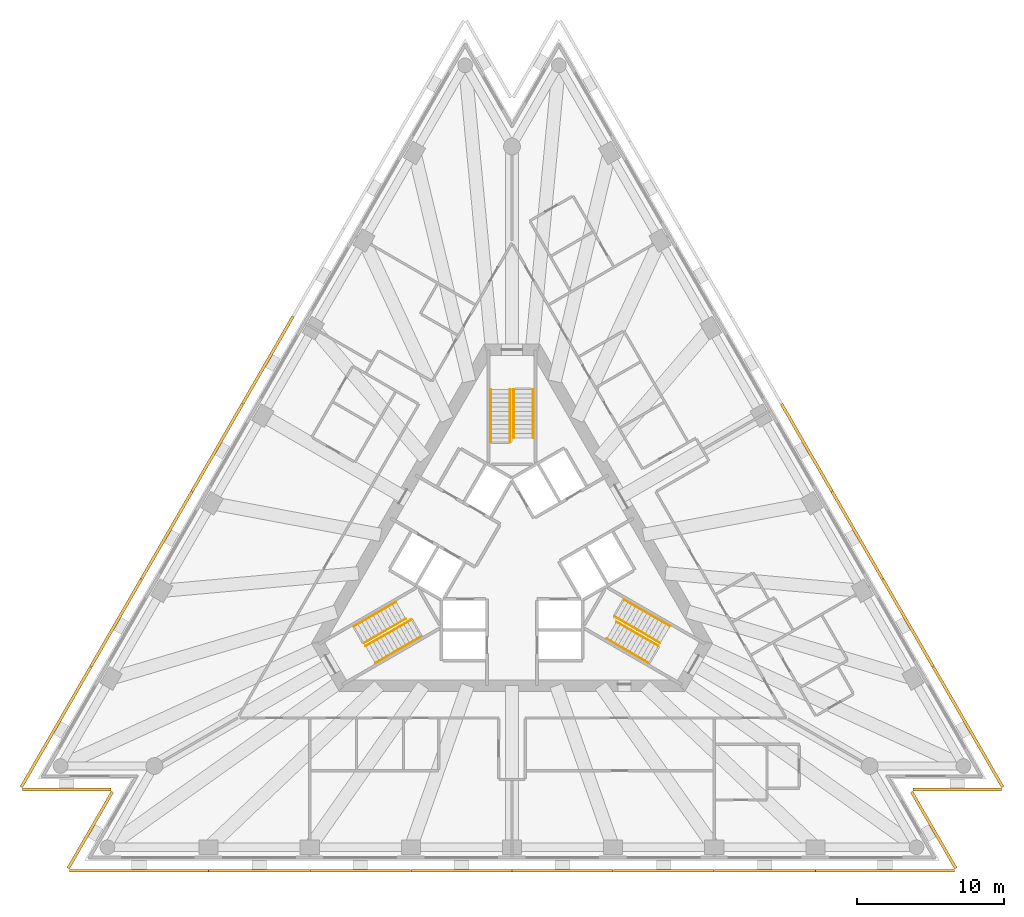
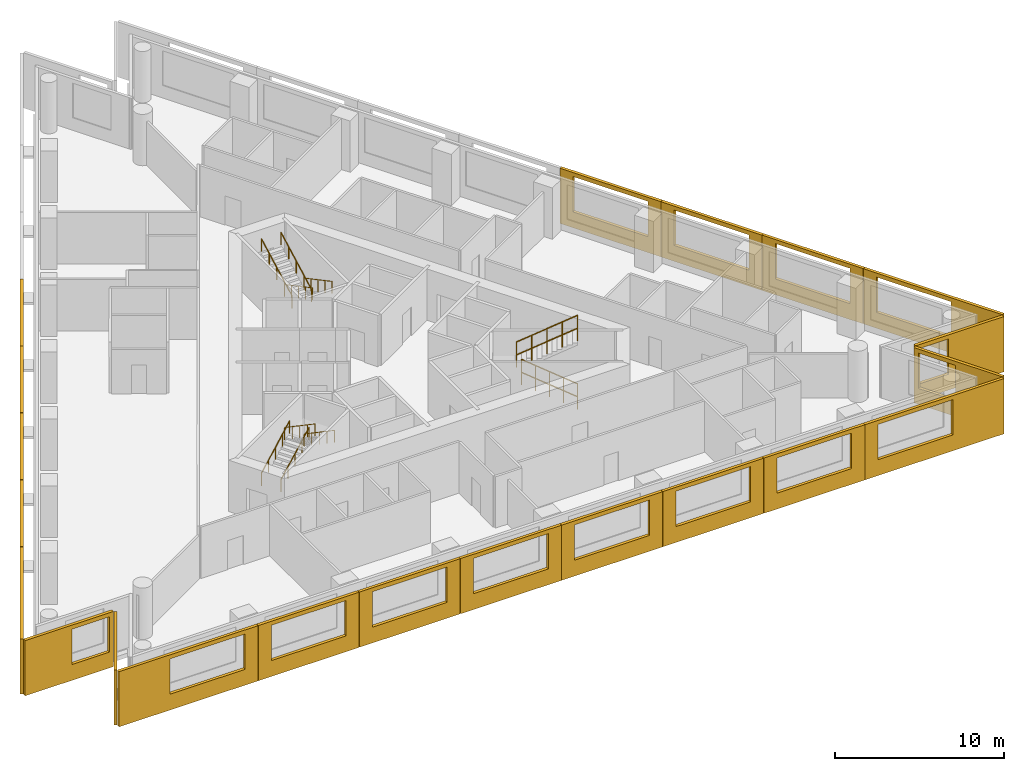
# One storey, part 9 of 10: 21 shading devices, 12 railings, 3 elements without a shape of their own.
"""IFC4 building model written with IfcOpenShell, lengths in metres."""

from ifc_helpers import new_model, si_unit, direction, frame, origin, origin_2d, place, context, subcontext, project, spatial, polyline, circle, outline, extrude, material, layer, layer_set, type_object, element, aggregate, save


model = new_model("IFC4")

# Units and contexts
model_context = context("Model", 3, precision=1e-05, world=origin(), true_north=direction((0.0, 1.0)))
body_context = subcontext(model_context, "Body", "Model", "MODEL_VIEW")
ifc_project = project(units=[si_unit("LENGTHUNIT", "METRE"), si_unit("AREAUNIT", "SQUARE_METRE"), si_unit("VOLUMEUNIT", "CUBIC_METRE"), si_unit("PLANEANGLEUNIT", "RADIAN"), si_unit("MASSUNIT", "GRAM", prefix="KILO")], contexts=[model_context])

# Site, building, storey
site_placement = place(None, origin())
site = spatial("IfcSite", under=ifc_project, at=site_placement, CompositionType="ELEMENT")
building_placement = place(site_placement, origin())
building = spatial("IfcBuilding", under=site, at=building_placement, Name="Triada Interchange Tower", CompositionType="ELEMENT")
storey_placement = place(building_placement, frame((0.0, 0.0, 120.300048828125)))
storey = spatial("IfcBuildingStorey", under=building, at=storey_placement, Name="L27", CompositionType="ELEMENT", Elevation=120.300048828125)

# Shading devices
ifc_material_1 = material(Name="Concrete C50/60 precast", Category="concrete")
ifc_layer_1 = layer(ifc_material_1, 0.02001953125, Name="Exposed aggregate face")
ifc_layer_2 = layer(ifc_material_1, 0.179931640625, Name="Precast concrete screen")
ifc_layer_set = layer_set([ifc_layer_1, ifc_layer_2], Name="Outer skin screen panel 3980")
shading_device_type = type_object("IfcShadingDeviceType", Name="Outer skin screen panel 3980", PredefinedType="SHUTTER", material=ifc_layer_set)
shading_device_1_placement = place(storey_placement, frame((-14.85009765625, 16.527099609375, -0.2900390625), z_axis=(0.0, 0.0, 1.0), x_axis=(-0.500025633803, -0.866010603596, 0.0)))
element("IfcShadingDevice", 1, at=shading_device_1_placement, inside=storey, type_object=shading_device_type, Name="Outer skin screen panel L27 04", PredefinedType="SHUTTER", context=body_context, shape_type="SweptSolid", body=[
    extrude(outline(polyline([(0.0, 0.0), (6.877685546875, 0.0), (6.877685546875, 3.97998046875), (0.0, 3.97998046875), (0.0, 0.0)]), holes=[polyline([(0.888916015625, 1.139892578125), (0.888916015625, 3.68994140625), (5.989013671875, 3.68994140625), (5.989013671875, 1.139892578125), (0.888916015625, 1.139892578125)])]), frame((0.0, 0.0, 0.0), z_axis=(0.0, -1.0, 0.0), x_axis=(1.0, 0.0, 0.0)), (0.0, 0.0, 1.0), 0.199951171875),
])
shading_device_2_placement = place(storey_placement, frame((-18.299072265625, 10.552978515625, -0.2900390625), z_axis=(0.0, 0.0, 1.0), x_axis=(-0.499919131929, -0.866072087953, 0.0)))
element("IfcShadingDevice", 2, at=shading_device_2_placement, inside=storey, type_object=shading_device_type, Name="Outer skin screen panel L27 05", PredefinedType="SHUTTER", context=body_context, shape_type="SweptSolid", body=[
    extrude(outline(polyline([(0.0, 0.0), (6.877197265625, 0.0), (6.877197265625, 3.97998046875), (0.0, 3.97998046875), (0.0, 0.0)]), holes=[polyline([(0.88916015625, 1.139892578125), (0.88916015625, 3.68994140625), (5.989013671875, 3.68994140625), (5.989013671875, 1.139892578125), (0.88916015625, 1.139892578125)])]), frame((0.0, 0.0, 0.0), z_axis=(0.0, -1.0, 0.0), x_axis=(1.0, 0.0, 0.0)), (0.0, 0.0, 1.0), 0.199951171875),
])
shading_device_3_placement = place(storey_placement, frame((-21.7470703125, 4.580078125, -0.2900390625), z_axis=(0.0, 0.0, 1.0), x_axis=(-0.499964153563, -0.866046098746, 0.0)))
element("IfcShadingDevice", 3, at=shading_device_3_placement, inside=storey, type_object=shading_device_type, Name="Outer skin screen panel L27 06", PredefinedType="SHUTTER", context=body_context, shape_type="SweptSolid", body=[
    extrude(outline(polyline([(0.0, 0.0), (6.87841796875, 0.0), (6.87841796875, 3.97998046875), (0.0, 3.97998046875), (0.0, 0.0)]), holes=[polyline([(0.88916015625, 1.139892578125), (0.88916015625, 3.68994140625), (5.9892578125, 3.68994140625), (5.9892578125, 1.139892578125), (0.88916015625, 1.139892578125)])]), frame((0.0, 0.0, 0.0), z_axis=(0.0, -1.0, 0.0), x_axis=(1.0, 0.0, 0.0)), (0.0, 0.0, 1.0), 0.199951171875),
])
shading_device_4_placement = place(storey_placement, frame((-25.196044921875, -1.39404296875, -0.2900390625), z_axis=(0.0, 0.0, 1.0), x_axis=(-0.499964153563, -0.866046098746, 0.0)))
element("IfcShadingDevice", 4, at=shading_device_4_placement, inside=storey, type_object=shading_device_type, Name="Outer skin screen panel L27 07", PredefinedType="SHUTTER", context=body_context, shape_type="SweptSolid", body=[
    extrude(outline(polyline([(0.0, 0.0), (6.87841796875, 0.0), (6.87841796875, 3.97998046875), (0.0, 3.97998046875), (0.0, 0.0)]), holes=[polyline([(0.889404296875, 1.139892578125), (0.889404296875, 3.68994140625), (5.989501953125, 3.68994140625), (5.989501953125, 1.139892578125), (0.889404296875, 1.139892578125)])]), frame((0.0, 0.0, 0.0), z_axis=(0.0, -1.0, 0.0), x_axis=(1.0, 0.0, 0.0)), (0.0, 0.0, 1.0), 0.199951171875),
])
shading_device_5_placement = place(storey_placement, frame((-28.64501953125, -7.367919921875, -0.2900390625), z_axis=(0.0, 0.0, 1.0), x_axis=(-0.500021309151, -0.866013100591, 0.0)))
element("IfcShadingDevice", 5, at=shading_device_5_placement, inside=storey, type_object=shading_device_type, Name="Outer skin screen panel L27 08", PredefinedType="SHUTTER", context=body_context, shape_type="SweptSolid", body=[
    extrude(outline(polyline([(0.0, 0.0), (9.4755859375, 0.0), (9.4755859375, 3.97998046875), (0.0, 3.97998046875), (0.0, 0.0)]), holes=[polyline([(0.888427734375, 1.139892578125), (0.888427734375, 3.68994140625), (5.988525390625, 3.68994140625), (5.988525390625, 1.139892578125), (0.888427734375, 1.139892578125)])]), frame((0.0, 0.0, 0.0), z_axis=(0.0, -1.0, 0.0), x_axis=(1.0, 0.0, 0.0)), (0.0, 0.0, 1.0), 0.199951171875),
])
shading_device_6_placement = place(storey_placement, frame((-33.3779296875, -15.5830078125, -0.2900390625), z_axis=(0.0, 0.0, 1.0), x_axis=(1.0, 0.0, 0.0)))
element("IfcShadingDevice", 6, at=shading_device_6_placement, inside=storey, type_object=shading_device_type, Name="Outer skin screen panel L27 09", PredefinedType="SHUTTER", context=body_context, shape_type="SweptSolid", body=[
    extrude(outline(polyline([(0.0, 0.0), (6.031982421875, 0.0), (6.031982421875, 3.97998046875), (0.0, 3.97998046875), (0.0, 0.0)]), holes=[polyline([(3.175048828125, 1.139892578125), (3.175048828125, 3.68994140625), (5.73193359375, 3.68994140625), (5.73193359375, 1.139892578125), (3.175048828125, 1.139892578125)])]), frame((0.0, 0.0, 0.0), z_axis=(0.0, -1.0, 0.0), x_axis=(1.0, 0.0, 0.0)), (0.0, 0.0, 1.0), 0.199951171875),
])
shading_device_7_placement = place(storey_placement, frame((-27.16796875, -15.89208984375, -0.2900390625), z_axis=(0.0, 0.0, 1.0), x_axis=(-0.500083355775, -0.865977272956, 0.0)))
element("IfcShadingDevice", 7, at=shading_device_7_placement, inside=storey, type_object=shading_device_type, Name="Outer skin screen panel L27 10", PredefinedType="SHUTTER", context=body_context, shape_type="SweptSolid", body=[
    extrude(outline(polyline([(0.0, 0.0), (6.03125, 0.0), (6.03125, 3.97998046875), (0.0, 3.97998046875), (0.0, 0.0)]), holes=[polyline([(0.300048828125, 1.139892578125), (0.300048828125, 3.68994140625), (2.2578125, 3.68994140625), (2.2578125, 1.139892578125), (0.300048828125, 1.139892578125)])]), frame((0.0, 0.0, 0.0), z_axis=(0.0, -1.0, 0.0), x_axis=(1.0, 0.0, 0.0)), (0.0, 0.0, 1.0), 0.199951171875),
])
shading_device_8_placement = place(storey_placement, frame((-30.178955078125, -21.1240234375, -0.2900390625), z_axis=(0.0, 0.0, 1.0), x_axis=(1.0, 0.0, 0.0)))
element("IfcShadingDevice", 8, at=shading_device_8_placement, inside=storey, type_object=shading_device_type, Name="Outer skin screen panel L27 11", PredefinedType="SHUTTER", context=body_context, shape_type="SweptSolid", body=[
    extrude(outline(polyline([(0.0, 0.0), (9.47607421875, 0.0), (9.47607421875, 3.97998046875), (0.0, 3.97998046875), (0.0, 0.0)]), holes=[polyline([(3.487060546875, 1.139892578125), (3.487060546875, 3.68994140625), (8.5869140625, 3.68994140625), (8.5869140625, 1.139892578125), (3.487060546875, 1.139892578125)])]), frame((0.0, 0.0, 0.0), z_axis=(0.0, -1.0, 0.0), x_axis=(1.0, 0.0, 0.0)), (0.0, 0.0, 1.0), 0.199951171875),
])
shading_device_9_placement = place(storey_placement, frame((-20.68310546875, -21.1240234375, -0.2900390625), z_axis=(0.0, 0.0, 1.0), x_axis=(1.0, 0.0, 0.0)))
element("IfcShadingDevice", 9, at=shading_device_9_placement, inside=storey, type_object=shading_device_type, Name="Outer skin screen panel L27 12", PredefinedType="SHUTTER", context=body_context, shape_type="SweptSolid", body=[
    extrude(outline(polyline([(0.0, 0.0), (6.877197265625, 0.0), (6.877197265625, 3.97998046875), (0.0, 3.97998046875), (0.0, 0.0)]), holes=[polyline([(0.889404296875, 1.139892578125), (0.889404296875, 3.68994140625), (5.9892578125, 3.68994140625), (5.9892578125, 1.139892578125), (0.889404296875, 1.139892578125)])]), frame((0.0, 0.0, 0.0), z_axis=(0.0, -1.0, 0.0), x_axis=(1.0, 0.0, 0.0)), (0.0, 0.0, 1.0), 0.199951171875),
])
shading_device_10_placement = place(storey_placement, frame((-13.785888671875, -21.1240234375, -0.2900390625), z_axis=(0.0, 0.0, 1.0), x_axis=(1.0, 0.0, 0.0)))
element("IfcShadingDevice", 10, at=shading_device_10_placement, inside=storey, type_object=shading_device_type, Name="Outer skin screen panel L27 13", PredefinedType="SHUTTER", context=body_context, shape_type="SweptSolid", body=[
    extrude(outline(polyline([(0.0, 0.0), (6.8779296875, 0.0), (6.8779296875, 3.97998046875), (0.0, 3.97998046875), (0.0, 0.0)]), holes=[polyline([(0.888427734375, 1.139892578125), (0.888427734375, 3.68994140625), (5.988525390625, 3.68994140625), (5.988525390625, 1.139892578125), (0.888427734375, 1.139892578125)])]), frame((0.0, 0.0, 0.0), z_axis=(0.0, -1.0, 0.0), x_axis=(1.0, 0.0, 0.0)), (0.0, 0.0, 1.0), 0.199951171875),
])
shading_device_11_placement = place(storey_placement, frame((-6.887939453125, -21.1240234375, -0.2900390625), z_axis=(0.0, 0.0, 1.0), x_axis=(1.0, 0.0, 0.0)))
element("IfcShadingDevice", 11, at=shading_device_11_placement, inside=storey, type_object=shading_device_type, Name="Outer skin screen panel L27 14", PredefinedType="SHUTTER", context=body_context, shape_type="SweptSolid", body=[
    extrude(outline(polyline([(0.0, 0.0), (6.8779296875, 0.0), (6.8779296875, 3.97998046875), (0.0, 3.97998046875), (0.0, 0.0)]), holes=[polyline([(0.888916015625, 1.139892578125), (0.888916015625, 3.68994140625), (5.98876953125, 3.68994140625), (5.98876953125, 1.139892578125), (0.888916015625, 1.139892578125)])]), frame((0.0, 0.0, 0.0), z_axis=(0.0, -1.0, 0.0), x_axis=(1.0, 0.0, 0.0)), (0.0, 0.0, 1.0), 0.199951171875),
])
shading_device_12_placement = place(storey_placement, frame((0.010009765625, -21.1240234375, -0.2900390625), z_axis=(0.0, 0.0, 1.0), x_axis=(1.0, 0.0, 0.0)))
element("IfcShadingDevice", 12, at=shading_device_12_placement, inside=storey, type_object=shading_device_type, Name="Outer skin screen panel L27 15", PredefinedType="SHUTTER", context=body_context, shape_type="SweptSolid", body=[
    extrude(outline(polyline([(0.0, 0.0), (6.8779296875, 0.0), (6.8779296875, 3.97998046875), (0.0, 3.97998046875), (0.0, 0.0)]), holes=[polyline([(0.888916015625, 1.139892578125), (0.888916015625, 3.68994140625), (5.989013671875, 3.68994140625), (5.989013671875, 1.139892578125), (0.888916015625, 1.139892578125)])]), frame((0.0, 0.0, 0.0), z_axis=(0.0, -1.0, 0.0), x_axis=(1.0, 0.0, 0.0)), (0.0, 0.0, 1.0), 0.199951171875),
])
shading_device_13_placement = place(storey_placement, frame((6.907958984375, -21.1240234375, -0.2900390625), z_axis=(0.0, 0.0, 1.0), x_axis=(1.0, 0.0, 0.0)))
element("IfcShadingDevice", 13, at=shading_device_13_placement, inside=storey, type_object=shading_device_type, Name="Outer skin screen panel L27 16", PredefinedType="SHUTTER", context=body_context, shape_type="SweptSolid", body=[
    extrude(outline(polyline([(0.0, 0.0), (6.876953125, 0.0), (6.876953125, 3.97998046875), (0.0, 3.97998046875), (0.0, 0.0)]), holes=[polyline([(0.88916015625, 1.139892578125), (0.88916015625, 3.68994140625), (5.9892578125, 3.68994140625), (5.9892578125, 1.139892578125), (0.88916015625, 1.139892578125)])]), frame((0.0, 0.0, 0.0), z_axis=(0.0, -1.0, 0.0), x_axis=(1.0, 0.0, 0.0)), (0.0, 0.0, 1.0), 0.199951171875),
])
shading_device_14_placement = place(storey_placement, frame((13.804931640625, -21.1240234375, -0.2900390625), z_axis=(0.0, 0.0, 1.0), x_axis=(1.0, 0.0, 0.0)))
element("IfcShadingDevice", 14, at=shading_device_14_placement, inside=storey, type_object=shading_device_type, Name="Outer skin screen panel L27 17", PredefinedType="SHUTTER", context=body_context, shape_type="SweptSolid", body=[
    extrude(outline(polyline([(0.0, 0.0), (6.878173828125, 0.0), (6.878173828125, 3.97998046875), (0.0, 3.97998046875), (0.0, 0.0)]), holes=[polyline([(0.888427734375, 1.139892578125), (0.888427734375, 3.68994140625), (5.988525390625, 3.68994140625), (5.988525390625, 1.139892578125), (0.888427734375, 1.139892578125)])]), frame((0.0, 0.0, 0.0), z_axis=(0.0, -1.0, 0.0), x_axis=(1.0, 0.0, 0.0)), (0.0, 0.0, 1.0), 0.199951171875),
])
shading_device_15_placement = place(storey_placement, frame((20.702880859375, -21.1240234375, -0.2900390625), z_axis=(0.0, 0.0, 1.0), x_axis=(1.0, 0.0, 0.0)))
element("IfcShadingDevice", 15, at=shading_device_15_placement, inside=storey, type_object=shading_device_type, Name="Outer skin screen panel L27 18", PredefinedType="SHUTTER", context=body_context, shape_type="SweptSolid", body=[
    extrude(outline(polyline([(0.0, 0.0), (9.47607421875, 0.0), (9.47607421875, 3.97998046875), (0.0, 3.97998046875), (0.0, 0.0)]), holes=[polyline([(0.888916015625, 1.139892578125), (0.888916015625, 3.68994140625), (5.98876953125, 3.68994140625), (5.98876953125, 1.139892578125), (0.888916015625, 1.139892578125)])]), frame((0.0, 0.0, 0.0), z_axis=(0.0, -1.0, 0.0), x_axis=(1.0, 0.0, 0.0)), (0.0, 0.0, 1.0), 0.199951171875),
])
shading_device_16_placement = place(storey_placement, frame((30.18408203125, -21.114990234375, -0.2900390625), z_axis=(0.0, 0.0, 1.0), x_axis=(-0.500083355775, 0.865977272956, 0.0)))
element("IfcShadingDevice", 16, at=shading_device_16_placement, inside=storey, type_object=shading_device_type, Name="Outer skin screen panel L27 19", PredefinedType="SHUTTER", context=body_context, shape_type="SweptSolid", body=[
    extrude(outline(polyline([(0.0, 0.0), (6.03125, 0.0), (6.03125, 3.97998046875), (0.0, 3.97998046875), (0.0, 0.0)]), holes=[polyline([(3.17529296875, 1.139892578125), (3.17529296875, 3.68994140625), (5.73193359375, 3.68994140625), (5.73193359375, 1.139892578125), (3.17529296875, 1.139892578125)])]), frame((0.0, 0.0, 0.0), z_axis=(0.0, -1.0, 0.0), x_axis=(1.0, 0.0, 0.0)), (0.0, 0.0, 1.0), 0.199951171875),
])
shading_device_17_placement = place(storey_placement, frame((27.345947265625, -15.5830078125, -0.2900390625), z_axis=(0.0, 0.0, 1.0), x_axis=(1.0, 0.0, 0.0)))
element("IfcShadingDevice", 17, at=shading_device_17_placement, inside=storey, type_object=shading_device_type, Name="Outer skin screen panel L27 20", PredefinedType="SHUTTER", context=body_context, shape_type="SweptSolid", body=[
    extrude(outline(polyline([(0.0, 0.0), (6.031982421875, 0.0), (6.031982421875, 3.97998046875), (0.0, 3.97998046875), (0.0, 0.0)]), holes=[polyline([(0.300048828125, 1.139892578125), (0.300048828125, 3.68994140625), (2.258056640625, 3.68994140625), (2.258056640625, 1.139892578125), (0.300048828125, 1.139892578125)])]), frame((0.0, 0.0, 0.0), z_axis=(0.0, -1.0, 0.0), x_axis=(1.0, 0.0, 0.0)), (0.0, 0.0, 1.0), 0.199951171875),
])
shading_device_18_placement = place(storey_placement, frame((33.383056640625, -15.573974609375, -0.2900390625), z_axis=(0.0, 0.0, 1.0), x_axis=(-0.500021309151, 0.866013100591, 0.0)))
element("IfcShadingDevice", 18, at=shading_device_18_placement, inside=storey, type_object=shading_device_type, Name="Outer skin screen panel L27 21", PredefinedType="SHUTTER", context=body_context, shape_type="SweptSolid", body=[
    extrude(outline(polyline([(0.0, 0.0), (9.4755859375, 0.0), (9.4755859375, 3.97998046875), (0.0, 3.97998046875), (0.0, 0.0)]), holes=[polyline([(3.4873046875, 1.139892578125), (3.4873046875, 3.68994140625), (8.58740234375, 3.68994140625), (8.58740234375, 1.139892578125), (3.4873046875, 1.139892578125)])]), frame((0.0, 0.0, 0.0), z_axis=(0.0, -1.0, 0.0), x_axis=(1.0, 0.0, 0.0)), (0.0, 0.0, 1.0), 0.199951171875),
])
shading_device_19_placement = place(storey_placement, frame((28.635009765625, -7.35107421875, -0.2900390625), z_axis=(0.0, 0.0, 1.0), x_axis=(-0.499964153563, 0.866046098746, 0.0)))
element("IfcShadingDevice", 19, at=shading_device_19_placement, inside=storey, type_object=shading_device_type, Name="Outer skin screen panel L27 22", PredefinedType="SHUTTER", context=body_context, shape_type="SweptSolid", body=[
    extrude(outline(polyline([(0.0, 0.0), (6.87841796875, 0.0), (6.87841796875, 3.97998046875), (0.0, 3.97998046875), (0.0, 0.0)]), holes=[polyline([(0.888427734375, 1.139892578125), (0.888427734375, 3.68994140625), (5.98828125, 3.68994140625), (5.98828125, 1.139892578125), (0.888427734375, 1.139892578125)])]), frame((0.0, 0.0, 0.0), z_axis=(0.0, -1.0, 0.0), x_axis=(1.0, 0.0, 0.0)), (0.0, 0.0, 1.0), 0.199951171875),
])
shading_device_20_placement = place(storey_placement, frame((25.18603515625, -1.376953125, -0.2900390625), z_axis=(0.0, 0.0, 1.0), x_axis=(-0.499964153563, 0.866046098746, 0.0)))
element("IfcShadingDevice", 20, at=shading_device_20_placement, inside=storey, type_object=shading_device_type, Name="Outer skin screen panel L27 23", PredefinedType="SHUTTER", context=body_context, shape_type="SweptSolid", body=[
    extrude(outline(polyline([(0.0, 0.0), (6.87841796875, 0.0), (6.87841796875, 3.97998046875), (0.0, 3.97998046875), (0.0, 0.0)]), holes=[polyline([(0.888427734375, 1.139892578125), (0.888427734375, 3.68994140625), (5.988525390625, 3.68994140625), (5.988525390625, 1.139892578125), (0.888427734375, 1.139892578125)])]), frame((0.0, 0.0, 0.0), z_axis=(0.0, -1.0, 0.0), x_axis=(1.0, 0.0, 0.0)), (0.0, 0.0, 1.0), 0.199951171875),
])
shading_device_21_placement = place(storey_placement, frame((21.737060546875, 4.596923828125, -0.2900390625), z_axis=(0.0, 0.0, 1.0), x_axis=(-0.499919131929, 0.866072087953, 0.0)))
element("IfcShadingDevice", 21, at=shading_device_21_placement, inside=storey, type_object=shading_device_type, Name="Outer skin screen panel L27 24", PredefinedType="SHUTTER", context=body_context, shape_type="SweptSolid", body=[
    extrude(outline(polyline([(0.0, 0.0), (6.877197265625, 0.0), (6.877197265625, 3.97998046875), (0.0, 3.97998046875), (0.0, 0.0)]), holes=[polyline([(0.888671875, 1.139892578125), (0.888671875, 3.68994140625), (5.98876953125, 3.68994140625), (5.98876953125, 1.139892578125), (0.888671875, 1.139892578125)])]), frame((0.0, 0.0, 0.0), z_axis=(0.0, -1.0, 0.0), x_axis=(1.0, 0.0, 0.0)), (0.0, 0.0, 1.0), 0.199951171875),
])

# Stair, railings
ifc_material_2 = material(Name="Concrete C35/45", Category="concrete")
stair_type = type_object("IfcStairType", Name="HALF TURN STAIR 1400", PredefinedType="HALF_TURN_STAIR", material=ifc_material_2)
stair_1_placement = place(storey_placement, origin())
stair_1 = element("IfcStair", 22, at=stair_1_placement, inside=storey, type_object=stair_type, Name="Exit stair S26-1", PredefinedType="HALF_TURN_STAIR")
ifc_material_3 = material(Name="Stainless steel 1.4301", Category="steel")
railing_type = type_object("IfcRailingType", Name="STAIR HANDRAIL 900", PredefinedType="HANDRAIL", material=ifc_material_3)
railing_1_placement = place(storey_placement, frame((1.449951171875, 11.60009765625, 0.159912109375)))
railing_1 = element("IfcRailing", 23, at=railing_1_placement, type_object=railing_type, Name="Handrail S26-1 1W", PredefinedType="HANDRAIL", context=body_context, shape_type="SweptSolid", body=[
    extrude(circle(Radius=0.02392578125, at=origin_2d()), frame((0.0, 0.0, 0.8759765625), z_axis=(0.0, -0.882354748157, 0.47058484719), x_axis=(1.0, 0.0, 0.0)), (0.0, 0.0, 1.0), 3.739990234375),
    extrude(circle(Radius=0.02099609375, at=origin_2d()), origin(), (0.0, 0.0, 1.0), 0.851806640625),
    extrude(circle(Radius=0.02099609375, at=origin_2d()), frame((0.0, -0.824951171875, 0.43994140625)), (0.0, 0.0, 1.0), 0.851806640625),
    extrude(circle(Radius=0.02099609375, at=origin_2d()), frame((0.0, -1.64990234375, 0.8798828125)), (0.0, 0.0, 1.0), 0.851806640625),
    extrude(circle(Radius=0.02099609375, at=origin_2d()), frame((0.0, -2.47509765625, 1.320068359375)), (0.0, 0.0, 1.0), 0.851806640625),
    extrude(circle(Radius=0.02099609375, at=origin_2d()), frame((0.0, -3.300048828125, 1.760009765625)), (0.0, 0.0, 1.0), 0.851806640625),
])
railing_2_placement = place(storey_placement, frame((0.1201171875, 11.60009765625, 0.159912109375)))
railing_2 = element("IfcRailing", 24, at=railing_2_placement, type_object=railing_type, Name="Handrail S26-1 1C", PredefinedType="HANDRAIL", context=body_context, shape_type="SweptSolid", body=[
    extrude(circle(Radius=0.02392578125, at=origin_2d()), frame((0.0, 0.0, 0.8759765625), z_axis=(0.0, -0.882354748157, 0.47058484719), x_axis=(1.0, 0.0, 0.0)), (0.0, 0.0, 1.0), 3.739990234375),
    extrude(circle(Radius=0.02099609375, at=origin_2d()), origin(), (0.0, 0.0, 1.0), 0.851806640625),
    extrude(circle(Radius=0.02099609375, at=origin_2d()), frame((0.0, -0.824951171875, 0.43994140625)), (0.0, 0.0, 1.0), 0.851806640625),
    extrude(circle(Radius=0.02099609375, at=origin_2d()), frame((0.0, -1.64990234375, 0.8798828125)), (0.0, 0.0, 1.0), 0.851806640625),
    extrude(circle(Radius=0.02099609375, at=origin_2d()), frame((0.0, -2.47509765625, 1.320068359375)), (0.0, 0.0, 1.0), 0.851806640625),
    extrude(circle(Radius=0.02099609375, at=origin_2d()), frame((0.0, -3.300048828125, 1.760009765625)), (0.0, 0.0, 1.0), 0.851806640625),
])
railing_3_placement = place(storey_placement, frame((-1.449951171875, 8.0, 2.079833984375)))
railing_3 = element("IfcRailing", 25, at=railing_3_placement, type_object=railing_type, Name="Handrail S26-1 2W", PredefinedType="HANDRAIL", context=body_context, shape_type="SweptSolid", body=[
    extrude(circle(Radius=0.02392578125, at=origin_2d()), frame((0.0, 0.0, 0.8759765625), z_axis=(0.0, 0.882341346394, 0.470609974867), x_axis=(-1.0, 0.0, 0.0)), (0.0, 0.0, 1.0), 4.080078125),
    extrude(circle(Radius=0.02099609375, at=origin_2d()), origin(), (0.0, 0.0, 1.0), 0.851806640625),
    extrude(circle(Radius=0.02099609375, at=origin_2d()), frame((0.0, 0.89990234375, 0.47998046875)), (0.0, 0.0, 1.0), 0.851806640625),
    extrude(circle(Radius=0.02099609375, at=origin_2d()), frame((0.0, 1.800048828125, 0.9599609375)), (0.0, 0.0, 1.0), 0.851806640625),
    extrude(circle(Radius=0.02099609375, at=origin_2d()), frame((0.0, 2.7001953125, 1.440185546875)), (0.0, 0.0, 1.0), 0.851806640625),
    extrude(circle(Radius=0.02099609375, at=origin_2d()), frame((0.0, 3.60009765625, 1.920166015625)), (0.0, 0.0, 1.0), 0.851806640625),
])
railing_4_placement = place(storey_placement, frame((-0.1201171875, 8.0, 2.079833984375)))
railing_4 = element("IfcRailing", 26, at=railing_4_placement, type_object=railing_type, Name="Handrail S26-1 2C", PredefinedType="HANDRAIL", context=body_context, shape_type="SweptSolid", body=[
    extrude(circle(Radius=0.02392578125, at=origin_2d()), frame((0.0, 0.0, 0.8759765625), z_axis=(0.0, 0.882341346394, 0.470609974867), x_axis=(-1.0, 0.0, 0.0)), (0.0, 0.0, 1.0), 4.080078125),
    extrude(circle(Radius=0.02099609375, at=origin_2d()), origin(), (0.0, 0.0, 1.0), 0.851806640625),
    extrude(circle(Radius=0.02099609375, at=origin_2d()), frame((0.0, 0.89990234375, 0.47998046875)), (0.0, 0.0, 1.0), 0.851806640625),
    extrude(circle(Radius=0.02099609375, at=origin_2d()), frame((0.0, 1.800048828125, 0.9599609375)), (0.0, 0.0, 1.0), 0.851806640625),
    extrude(circle(Radius=0.02099609375, at=origin_2d()), frame((0.0, 2.7001953125, 1.440185546875)), (0.0, 0.0, 1.0), 0.851806640625),
    extrude(circle(Radius=0.02099609375, at=origin_2d()), frame((0.0, 3.60009765625, 1.920166015625)), (0.0, 0.0, 1.0), 0.851806640625),
])
aggregate(stair_1, [railing_1, railing_2, railing_3, railing_4])

stair_2_placement = place(storey_placement, origin())
stair_2 = element("IfcStair", 27, at=stair_2_placement, inside=storey, type_object=stair_type, Name="Exit stair S26-2", PredefinedType="HALF_TURN_STAIR")
railing_5_placement = place(storey_placement, frame((-10.77099609375, -4.5439453125, 0.159912109375)))
railing_5 = element("IfcRailing", 28, at=railing_5_placement, type_object=railing_type, Name="Handrail S26-2 1W", PredefinedType="HANDRAIL", context=body_context, shape_type="SweptSolid", body=[
    extrude(circle(Radius=0.02392578125, at=origin_2d()), frame((0.0, 0.0, 0.8759765625), z_axis=(0.764150854273, 0.441152526326, 0.470593158077), x_axis=(-0.499974350878, 0.866040211805, 0.0)), (0.0, 0.0, 1.0), 3.739990234375),
    extrude(circle(Radius=0.02099609375, at=origin_2d()), origin(), (0.0, 0.0, 1.0), 0.851806640625),
    extrude(circle(Radius=0.02099609375, at=origin_2d()), frame((0.71435546875, 0.41259765625, 0.43994140625)), (0.0, 0.0, 1.0), 0.851806640625),
    extrude(circle(Radius=0.02099609375, at=origin_2d()), frame((1.428955078125, 0.824951171875, 0.8798828125)), (0.0, 0.0, 1.0), 0.851806640625),
    extrude(circle(Radius=0.02099609375, at=origin_2d()), frame((2.1435546875, 1.2373046875, 1.320068359375)), (0.0, 0.0, 1.0), 0.851806640625),
    extrude(circle(Radius=0.02099609375, at=origin_2d()), frame((2.85791015625, 1.64990234375, 1.760009765625)), (0.0, 0.0, 1.0), 0.851806640625),
])
railing_6_placement = place(storey_placement, frame((-10.10595703125, -5.696044921875, 0.159912109375)))
railing_6 = element("IfcRailing", 29, at=railing_6_placement, type_object=railing_type, Name="Handrail S26-2 1C", PredefinedType="HANDRAIL", context=body_context, shape_type="SweptSolid", body=[
    extrude(circle(Radius=0.02392578125, at=origin_2d()), frame((0.0, 0.0, 0.8759765625), z_axis=(0.76412884773, 0.441205098395, 0.470579605611), x_axis=(-0.50002983664, 0.866008176907, 0.0)), (0.0, 0.0, 1.0), 3.739990234375),
    extrude(circle(Radius=0.02099609375, at=origin_2d()), origin(), (0.0, 0.0, 1.0), 0.851806640625),
    extrude(circle(Radius=0.02099609375, at=origin_2d()), frame((0.71435546875, 0.41259765625, 0.43994140625)), (0.0, 0.0, 1.0), 0.851806640625),
    extrude(circle(Radius=0.02099609375, at=origin_2d()), frame((1.428955078125, 0.8251953125, 0.8798828125)), (0.0, 0.0, 1.0), 0.851806640625),
    extrude(circle(Radius=0.02099609375, at=origin_2d()), frame((2.1435546875, 1.237548828125, 1.320068359375)), (0.0, 0.0, 1.0), 0.851806640625),
    extrude(circle(Radius=0.02099609375, at=origin_2d()), frame((2.85791015625, 1.650146484375, 1.760009765625)), (0.0, 0.0, 1.0), 0.851806640625),
])
railing_7_placement = place(storey_placement, frame((-6.202880859375, -5.256103515625, 2.079833984375)))
railing_7 = element("IfcRailing", 30, at=railing_7_placement, type_object=railing_type, Name="Handrail S26-2 2W", PredefinedType="HANDRAIL", context=body_context, shape_type="SweptSolid", body=[
    extrude(circle(Radius=0.02392578125, at=origin_2d()), frame((0.0, 0.0, 0.8759765625), z_axis=(-0.764189758314, -0.441090424232, 0.470588196769), x_axis=(0.499902469156, -0.866081705922, 0.0)), (0.0, 0.0, 1.0), 4.080322265625),
    extrude(circle(Radius=0.02099609375, at=origin_2d()), origin(), (0.0, 0.0, 1.0), 0.851806640625),
    extrude(circle(Radius=0.02099609375, at=origin_2d()), frame((-0.779541015625, -0.449951171875, 0.47998046875)), (0.0, 0.0, 1.0), 0.851806640625),
    extrude(circle(Radius=0.02099609375, at=origin_2d()), frame((-1.55908203125, -0.89990234375, 0.9599609375)), (0.0, 0.0, 1.0), 0.851806640625),
    extrude(circle(Radius=0.02099609375, at=origin_2d()), frame((-2.338623046875, -1.349853515625, 1.440185546875)), (0.0, 0.0, 1.0), 0.851806640625),
    extrude(circle(Radius=0.02099609375, at=origin_2d()), frame((-3.1181640625, -1.7998046875, 1.920166015625)), (0.0, 0.0, 1.0), 0.851806640625),
])
railing_8_placement = place(storey_placement, frame((-6.867919921875, -4.10400390625, 2.079833984375)))
railing_8 = element("IfcRailing", 31, at=railing_8_placement, type_object=railing_type, Name="Handrail S26-2 2C", PredefinedType="HANDRAIL", context=body_context, shape_type="SweptSolid", body=[
    extrude(circle(Radius=0.02392578125, at=origin_2d()), frame((0.0, 0.0, 0.8759765625), z_axis=(-0.764169589359, -0.441138614339, 0.470575776723), x_axis=(0.49995333141, -0.866052346231, 0.0)), (0.0, 0.0, 1.0), 4.08056640625),
    extrude(circle(Radius=0.02099609375, at=origin_2d()), origin(), (0.0, 0.0, 1.0), 0.851806640625),
    extrude(circle(Radius=0.02099609375, at=origin_2d()), frame((-0.779541015625, -0.449951171875, 0.47998046875)), (0.0, 0.0, 1.0), 0.851806640625),
    extrude(circle(Radius=0.02099609375, at=origin_2d()), frame((-1.55908203125, -0.89990234375, 0.9599609375)), (0.0, 0.0, 1.0), 0.851806640625),
    extrude(circle(Radius=0.02099609375, at=origin_2d()), frame((-2.338623046875, -1.35009765625, 1.440185546875)), (0.0, 0.0, 1.0), 0.851806640625),
    extrude(circle(Radius=0.02099609375, at=origin_2d()), frame((-3.1181640625, -1.800048828125, 1.920166015625)), (0.0, 0.0, 1.0), 0.851806640625),
])
aggregate(stair_2, [railing_5, railing_6, railing_7, railing_8])

stair_3_placement = place(storey_placement, origin())
stair_3 = element("IfcStair", 32, at=stair_3_placement, inside=storey, type_object=stair_type, Name="Exit stair S26-3", PredefinedType="HALF_TURN_STAIR")
railing_9_placement = place(storey_placement, frame((9.321044921875, -7.055908203125, 0.159912109375)))
railing_9 = element("IfcRailing", 33, at=railing_9_placement, type_object=railing_type, Name="Handrail S26-3 1W", PredefinedType="HANDRAIL", context=body_context, shape_type="SweptSolid", body=[
    extrude(circle(Radius=0.02392578125, at=origin_2d()), frame((0.0, 0.0, 0.8759765625), z_axis=(-0.764178012919, 0.441130521168, 0.470569684388), x_axis=(-0.499942318283, -0.866058703778, 0.0)), (0.0, 0.0, 1.0), 3.740234375),
    extrude(circle(Radius=0.02099609375, at=origin_2d()), origin(), (0.0, 0.0, 1.0), 0.851806640625),
    extrude(circle(Radius=0.02099609375, at=origin_2d()), frame((-0.714599609375, 0.41259765625, 0.43994140625)), (0.0, 0.0, 1.0), 0.851806640625),
    extrude(circle(Radius=0.02099609375, at=origin_2d()), frame((-1.42919921875, 0.824951171875, 0.8798828125)), (0.0, 0.0, 1.0), 0.851806640625),
    extrude(circle(Radius=0.02099609375, at=origin_2d()), frame((-2.1435546875, 1.2373046875, 1.320068359375)), (0.0, 0.0, 1.0), 0.851806640625),
    extrude(circle(Radius=0.02099609375, at=origin_2d()), frame((-2.858154296875, 1.64990234375, 1.760009765625)), (0.0, 0.0, 1.0), 0.851806640625),
])
railing_10_placement = place(storey_placement, frame((9.986083984375, -5.904052734375, 0.159912109375)))
railing_10 = element("IfcRailing", 34, at=railing_10_placement, type_object=railing_type, Name="Handrail S26-3 1C", PredefinedType="HANDRAIL", context=body_context, shape_type="SweptSolid", body=[
    extrude(circle(Radius=0.02392578125, at=origin_2d()), frame((0.0, 0.0, 0.8759765625), z_axis=(-0.764156007789, 0.441183091881, 0.47055613395), x_axis=(-0.49999780286, -0.8660266723, 0.0)), (0.0, 0.0, 1.0), 3.740234375),
    extrude(circle(Radius=0.02099609375, at=origin_2d()), origin(), (0.0, 0.0, 1.0), 0.851806640625),
    extrude(circle(Radius=0.02099609375, at=origin_2d()), frame((-0.714599609375, 0.41259765625, 0.43994140625)), (0.0, 0.0, 1.0), 0.851806640625),
    extrude(circle(Radius=0.02099609375, at=origin_2d()), frame((-1.42919921875, 0.8251953125, 0.8798828125)), (0.0, 0.0, 1.0), 0.851806640625),
    extrude(circle(Radius=0.02099609375, at=origin_2d()), frame((-2.1435546875, 1.237548828125, 1.320068359375)), (0.0, 0.0, 1.0), 0.851806640625),
    extrude(circle(Radius=0.02099609375, at=origin_2d()), frame((-2.858154296875, 1.650146484375, 1.760009765625)), (0.0, 0.0, 1.0), 0.851806640625),
])
railing_11_placement = place(storey_placement, frame((7.653076171875, -2.743896484375, 2.079833984375)))
railing_11 = element("IfcRailing", 35, at=railing_11_placement, type_object=railing_type, Name="Handrail S26-3 2W", PredefinedType="HANDRAIL", context=body_context, shape_type="SweptSolid", body=[
    extrude(circle(Radius=0.02392578125, at=origin_2d()), frame((0.0, 0.0, 0.8759765625), z_axis=(0.76414469501, -0.441158784458, 0.470597292793), x_axis=(0.499982693035, 0.866035395735, 0.0)), (0.0, 0.0, 1.0), 4.080322265625),
    extrude(circle(Radius=0.02099609375, at=origin_2d()), origin(), (0.0, 0.0, 1.0), 0.851806640625),
    extrude(circle(Radius=0.02099609375, at=origin_2d()), frame((0.779541015625, -0.449951171875, 0.47998046875)), (0.0, 0.0, 1.0), 0.851806640625),
    extrude(circle(Radius=0.02099609375, at=origin_2d()), frame((1.55908203125, -0.89990234375, 0.9599609375)), (0.0, 0.0, 1.0), 0.851806640625),
    extrude(circle(Radius=0.02099609375, at=origin_2d()), frame((2.33837890625, -1.35009765625, 1.440185546875)), (0.0, 0.0, 1.0), 0.851806640625),
    extrude(circle(Radius=0.02099609375, at=origin_2d()), frame((3.117919921875, -1.800048828125, 1.920166015625)), (0.0, 0.0, 1.0), 0.851806640625),
])
railing_12_placement = place(storey_placement, frame((6.988037109375, -3.89599609375, 2.079833984375)))
railing_12 = element("IfcRailing", 36, at=railing_12_placement, type_object=railing_type, Name="Handrail S26-3 2C", PredefinedType="HANDRAIL", context=body_context, shape_type="SweptSolid", body=[
    extrude(circle(Radius=0.02392578125, at=origin_2d()), frame((0.0, 0.0, 0.8759765625), z_axis=(0.76414469501, -0.441158784458, 0.470597292793), x_axis=(0.499982693035, 0.866035395735, 0.0)), (0.0, 0.0, 1.0), 4.080322265625),
    extrude(circle(Radius=0.02099609375, at=origin_2d()), origin(), (0.0, 0.0, 1.0), 0.851806640625),
    extrude(circle(Radius=0.02099609375, at=origin_2d()), frame((0.779541015625, -0.449951171875, 0.47998046875)), (0.0, 0.0, 1.0), 0.851806640625),
    extrude(circle(Radius=0.02099609375, at=origin_2d()), frame((1.55908203125, -0.89990234375, 0.9599609375)), (0.0, 0.0, 1.0), 0.851806640625),
    extrude(circle(Radius=0.02099609375, at=origin_2d()), frame((2.33837890625, -1.35009765625, 1.440185546875)), (0.0, 0.0, 1.0), 0.851806640625),
    extrude(circle(Radius=0.02099609375, at=origin_2d()), frame((3.117919921875, -1.800048828125, 1.920166015625)), (0.0, 0.0, 1.0), 0.851806640625),
])
aggregate(stair_3, [railing_9, railing_10, railing_11, railing_12])

save(model, "model.ifc")
